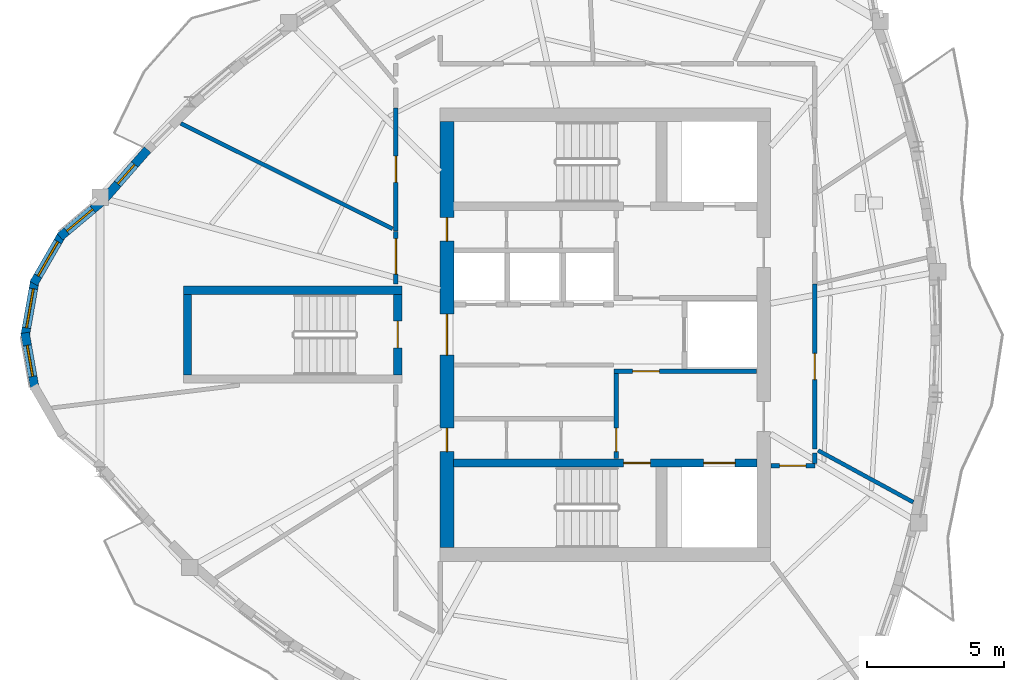
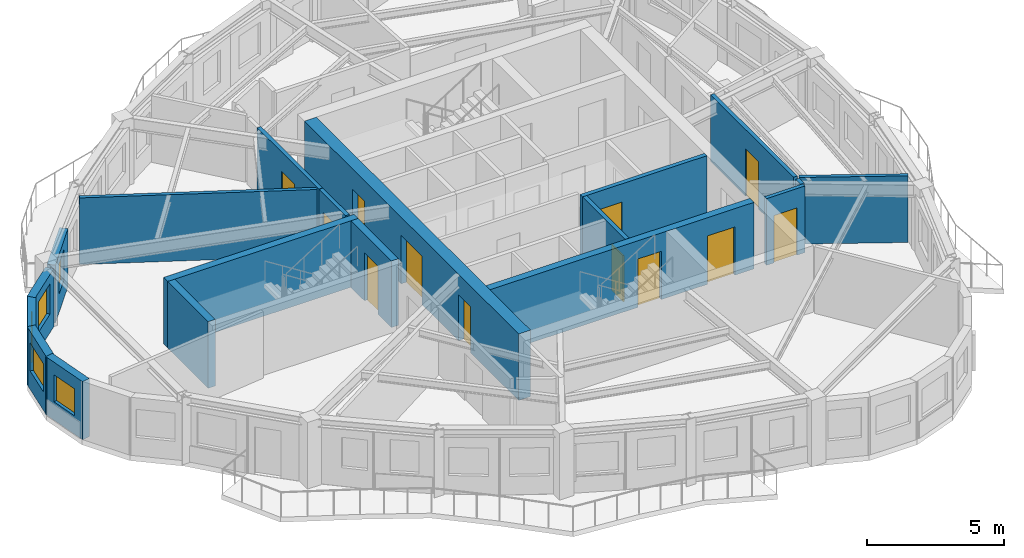
# One storey, part 4 of 11: 19 walls, 12 doors, 5 windows, 17 openings.
"""IFC4 building model written with IfcOpenShell, lengths in metres."""

import ifcopenshell
import ifcopenshell.guid

model = None  # the IFC model being written
_history = None  # IfcOwnerHistory: only IFC2X3 demands one
_inside = {}  # id of a spatial element -> (the spatial element, [elements in it])
_under = {}  # id of a project, library or spatial element -> (it, [spatial elements below it])
_declared = {}  # id of a project -> (the project, [libraries it declares])
_typed = {}  # id of a type object -> (the type object, [elements of that type])
_made_of = {}  # id of a material, layer set ... -> (it, [elements and type objects made of it])


def new_model(schema):
    """Start an empty IFC model of exactly this schema.

    Asked for "IFC4X3", IfcOpenShell would pick the latest addendum, in which some entities
    have other attributes; the version numbers below select the first issue.
    IFC2X3 requires an IfcOwnerHistory on every rooted entity: one is made here for all.
    """
    global model, _history
    if schema == "IFC4X3":
        model = ifcopenshell.file(schema_version=(4, 3, 0, 0))
    else:
        model = ifcopenshell.file(schema=schema)
    _inside.clear()
    _under.clear()
    _declared.clear()
    _typed.clear()
    _made_of.clear()
    _history = None
    if model.schema == "IFC2X3":
        org = make("IfcOrganization", Name="unknown")
        user = make(
            "IfcPersonAndOrganization",
            ThePerson=make("IfcPerson", FamilyName="unknown"),
            TheOrganization=org,
        )
        app = make(
            "IfcApplication",
            ApplicationDeveloper=org,
            Version="unknown",
            ApplicationFullName="unknown",
            ApplicationIdentifier="unknown",
        )
        _history = make(
            "IfcOwnerHistory",
            OwningUser=user,
            OwningApplication=app,
            ChangeAction="ADDED",
            CreationDate=0,
        )
    return model


def make(cls, **values):
    """One entity of the class cls with the attributes given. An attribute that is None is left unset."""
    return model.create_entity(
        cls, **{name: value for name, value in values.items() if value is not None}
    )


def rooted(cls, **values):
    """An entity with a GlobalId (a new one), such as an element, a storey or a relation."""
    return make(cls, GlobalId=ifcopenshell.guid.new(), OwnerHistory=_history, **values)


def si_unit(unit_type, name, prefix=None):
    """IfcSIUnit, for example si_unit("LENGTHUNIT", "METRE", prefix="MILLI")."""
    return make("IfcSIUnit", UnitType=unit_type, Prefix=prefix, Name=name)


def assignment(units):
    """IfcUnitAssignment: the units of a project."""
    return None if units is None else make("IfcUnitAssignment", Units=units)


def point(xyz):
    """IfcCartesianPoint."""
    return None if xyz is None else make("IfcCartesianPoint", Coordinates=xyz)


def direction(xyz):
    """IfcDirection."""
    return None if xyz is None else make("IfcDirection", DirectionRatios=xyz)


def frame(location, z_axis=None, x_axis=None):
    """IfcAxis2Placement3D, a coordinate frame: its origin and axes. An axis left out is left unset."""
    return make(
        "IfcAxis2Placement3D",
        Location=point(location),
        Axis=direction(z_axis),
        RefDirection=direction(x_axis),
    )


def frame_2d(location, x_axis=None):
    """IfcAxis2Placement2D, a coordinate frame in the plane: its origin and x axis."""
    return make(
        "IfcAxis2Placement2D", Location=point(location), RefDirection=direction(x_axis)
    )


def origin():
    """The frame at (0, 0, 0) with its axes left unset."""
    return frame((0.0, 0.0, 0.0))


def place(relative_to, where):
    """IfcLocalPlacement: puts the frame where relative to a parent placement (None: the world)."""
    return make(
        "IfcLocalPlacement", PlacementRelTo=relative_to, RelativePlacement=where
    )


def context(
    kind, dimensions, precision=None, world=None, true_north=None, identifier=None
):
    """IfcGeometricRepresentationContext, for example the 3D "Model" context."""
    return make(
        "IfcGeometricRepresentationContext",
        ContextIdentifier=identifier,
        ContextType=kind,
        CoordinateSpaceDimension=dimensions,
        Precision=precision,
        WorldCoordinateSystem=world,
        TrueNorth=true_north,
    )


def subcontext(parent, identifier, kind, view, scale=None):
    """IfcGeometricRepresentationSubContext, for example "Body" below "Model"."""
    return make(
        "IfcGeometricRepresentationSubContext",
        ContextIdentifier=identifier,
        ContextType=kind,
        ParentContext=parent,
        TargetScale=scale,
        TargetView=view,
    )


def project(units=None, contexts=None):
    """IfcProject with its units and contexts."""
    return rooted(
        "IfcProject",
        Name="project",
        RepresentationContexts=contexts,
        UnitsInContext=assignment(units),
    )


def spatial(cls, under=None, at=None, **own):
    """A site, building, storey or space (cls), placed at a placement, below another one or the project."""
    s = rooted(cls, ObjectPlacement=at, **own)
    if under is not None:
        _under.setdefault(under.id(), (under, []))[1].append(s)
    return s


def profile(cls, at=None, kind="AREA", **sizes):
    """A parametric profile (cls). Its sizes go by their IFC names, for example OverallWidth=200.0."""
    return make(cls, ProfileType=kind, Position=at, **sizes)


def rectangle(**sizes):
    """IfcRectangleProfileDef."""
    return profile("IfcRectangleProfileDef", **sizes)


def extrude(swept, where, along, depth):
    """IfcExtrudedAreaSolid: the profile swept, set in the frame where, extruded along a direction by depth."""
    return make(
        "IfcExtrudedAreaSolid",
        SweptArea=swept,
        Position=where,
        ExtrudedDirection=direction(along),
        Depth=depth,
    )


def shape(context_of_items, identifier, shape_type, items):
    """IfcShapeRepresentation: the items that make up one representation, for example the "Body"."""
    return make(
        "IfcShapeRepresentation",
        ContextOfItems=context_of_items,
        RepresentationIdentifier=identifier,
        RepresentationType=shape_type,
        Items=items,
    )


def source(mapping_origin, context_of_items, identifier, shape_type, items):
    """IfcRepresentationMap: a shape defined once, which mapped items show again and again."""
    return make(
        "IfcRepresentationMap",
        MappingOrigin=mapping_origin,
        MappedRepresentation=shape(context_of_items, identifier, shape_type, items),
    )


def transform(
    local_origin,
    x_axis=None,
    y_axis=None,
    z_axis=None,
    scale=None,
    scale2=None,
    scale3=None,
    uniform=True,
):
    """IfcCartesianTransformationOperator3D, or its non-uniform kind. x_axis, y_axis, z_axis: its Axis1, 2, 3."""
    if uniform:
        return make(
            "IfcCartesianTransformationOperator3D",
            Axis1=direction(x_axis),
            Axis2=direction(y_axis),
            LocalOrigin=point(local_origin),
            Scale=scale,
            Axis3=direction(z_axis),
        )
    return make(
        "IfcCartesianTransformationOperator3DnonUniform",
        Axis1=direction(x_axis),
        Axis2=direction(y_axis),
        LocalOrigin=point(local_origin),
        Scale=scale,
        Axis3=direction(z_axis),
        Scale2=scale2,
        Scale3=scale3,
    )


def mapped(mapping_source, mapping_target):
    """IfcMappedItem: shows the shape of a source again, moved by a transform."""
    return make(
        "IfcMappedItem", MappingSource=mapping_source, MappingTarget=mapping_target
    )


def material(Name=None, Category=None):
    """IfcMaterial."""
    return make("IfcMaterial", Name=Name, Category=Category)


def layer(
    of_material, thickness, ventilated=None, Name=None, Category=None, Priority=None
):
    """IfcMaterialLayer: one layer of a wall or slab, of a material (None: an air gap)."""
    return make(
        "IfcMaterialLayer",
        Material=of_material,
        LayerThickness=thickness,
        IsVentilated=ventilated,
        Name=Name,
        Category=Category,
        Priority=Priority,
    )


def layer_set(layers, Name=None):
    """IfcMaterialLayerSet."""
    return make("IfcMaterialLayerSet", MaterialLayers=layers, LayerSetName=Name)


def made_of(thing, what):
    """Note that an element or type object is made of a material, layer set ...; save() writes the relation."""
    if what is not None:
        _made_of.setdefault(what.id(), (what, []))[1].append(thing)
    return thing


def type_object(cls, material=None, **own):
    """A type object (cls), such as IfcWallType, which elements share."""
    return made_of(rooted(cls, **own), material)


def element(
    cls,
    number,
    at=None,
    inside=None,
    cuts=None,
    type_object=None,
    material=None,
    context=None,
    identifier="Body",
    shape_type=None,
    held_by="IfcProductDefinitionShape",
    body=None,
    shapes=None,
    **own,
):
    """One element of the class cls, such as IfcWall. Its Tag is "e" and its number.

    at: its placement. inside: the storey or other place that contains it. cuts: it is an
    opening in that element (IfcRelVoidsElement). A single representation is given by context,
    identifier, shape_type and body (its items); several are given by shapes. held_by: the class
    of the entity that holds the representations. save() writes the other relations.
    """
    e = rooted(cls, Tag="e%d" % number, ObjectPlacement=at, **own)
    if body is not None:
        shapes = [shape(context, identifier, shape_type, body)]
    if shapes is not None:
        e.Representation = make(held_by, Representations=shapes)
    if inside is not None:
        _inside.setdefault(inside.id(), (inside, []))[1].append(e)
    if cuts is not None:
        rooted(
            "IfcRelVoidsElement", RelatingBuildingElement=cuts, RelatedOpeningElement=e
        )
    if type_object is not None:
        _typed.setdefault(type_object.id(), (type_object, []))[1].append(e)
    return made_of(e, material)


def fill(opening, filler):
    """IfcRelFillsElement: the door or window that sits in an opening."""
    return rooted(
        "IfcRelFillsElement",
        RelatingOpeningElement=opening,
        RelatedBuildingElement=filler,
    )


def aggregate(whole, parts):
    """IfcRelAggregates: a whole, such as a stair, and the parts it consists of."""
    return rooted("IfcRelAggregates", RelatingObject=whole, RelatedObjects=parts)


def save(model, path):
    """Write the relations noted so far, then the file.

    IfcRelAggregates (storeys below a building ...), IfcRelContainedInSpatialStructure (elements
    in a storey), IfcRelDefinesByType, IfcRelAssociatesMaterial and IfcRelDeclares: one each for
    every whole, place, type object, material and project.
    """
    for whole, parts in _under.values():
        aggregate(whole, parts)
    for where, things in _inside.values():
        rooted(
            "IfcRelContainedInSpatialStructure",
            RelatedElements=things,
            RelatingStructure=where,
        )
    for kind, things in _typed.values():
        rooted("IfcRelDefinesByType", RelatedObjects=things, RelatingType=kind)
    for what, things in _made_of.values():
        rooted("IfcRelAssociatesMaterial", RelatedObjects=things, RelatingMaterial=what)
    for by, libraries in _declared.values():
        rooted("IfcRelDeclares", RelatingContext=by, RelatedDefinitions=libraries)
    model.write(path)


model = new_model("IFC4")

# Units and contexts
model_context = context("Model", 3, precision=1e-05, world=origin(), true_north=direction((0.0, 1.0)))
body_context = subcontext(model_context, "Body", "Model", "MODEL_VIEW")
ifc_project = project(units=[si_unit("LENGTHUNIT", "METRE"), si_unit("AREAUNIT", "SQUARE_METRE"), si_unit("VOLUMEUNIT", "CUBIC_METRE"), si_unit("PLANEANGLEUNIT", "RADIAN"), si_unit("MASSUNIT", "GRAM", prefix="KILO")], contexts=[model_context])

# Site, building, storey
site_placement = place(None, origin())
site = spatial("IfcSite", under=ifc_project, at=site_placement, CompositionType="ELEMENT")
building_placement = place(site_placement, origin())
building = spatial("IfcBuilding", under=site, at=building_placement, Name="Qafzar Sky-Pleat Residences", CompositionType="ELEMENT")
storey_placement = place(building_placement, frame((0.0, 0.0, 218.0)))
storey = spatial("IfcBuildingStorey", under=building, at=storey_placement, Name="L65", CompositionType="ELEMENT", Elevation=218.0)

# Wall, opening, door
ifc_material_1 = material(Name="Acoustic gypsum plasterboard partition", Category="gypsum")
ifc_layer_1 = layer(ifc_material_1, 0.159912109375)
ifc_layer_set_1 = layer_set([ifc_layer_1], Name="Acoustic gypsum plasterboard partition")
wall_type_1 = type_object("IfcWallType", Name="PART-COR-160", PredefinedType="PARTITIONING", material=ifc_layer_set_1)
wall_1_placement = place(storey_placement, frame((38.02001953125, 27.85498046875, 0.0), z_axis=(0.0, 0.0, 1.0), x_axis=(0.0, -1.0, 0.0)))
wall_1 = element("IfcWall", 1, at=wall_1_placement, inside=storey, type_object=wall_type_1, Name="L65 Partition Wall PART-L65-PW-001", PredefinedType="PARTITIONING", context=body_context, shape_type="SweptSolid", body=[
    extrude(rectangle(XDim=6.046875, YDim=0.159912109375, at=frame_2d((3.0234375, 0.0))), origin(), (0.0, 0.0, 1.0), 2.9599609375),
])
opening_1_placement = place(wall_1_placement, frame((2.54248046875, 0.0, 0.0)))
opening_1 = element("IfcOpeningElement", 2, at=opening_1_placement, cuts=wall_1, Name="Opening ID-06", PredefinedType="OPENING", context=body_context, shape_type="SweptSolid", body=[
    extrude(rectangle(XDim=0.9599609375, YDim=2.10009765625, at=frame_2d((0.47998046875, 1.050048828125))), frame((0.0, 0.08984375, 0.0), z_axis=(0.0, -1.0, 0.0), x_axis=(1.0, 0.0, 0.0)), (0.0, 0.0, 1.0), 0.179931640625),
])
ifc_material_2 = material(Name="Timber-faced fire door", Category="wood")
door_type_1 = type_object("IfcDoorType", Name="DR-STD-960", OperationType="NOTDEFINED", PredefinedType="DOOR", material=ifc_material_2)
shared_shape_1 = source(origin(), body_context, "Body", "SweptSolid", [
    extrude(rectangle(XDim=0.9599609375, YDim=2.10009765625, at=frame_2d((0.47998046875, 1.050048828125))), frame((0.0, 0.02490234375, 0.0), z_axis=(0.0, -1.0, 0.0), x_axis=(1.0, 0.0, 0.0)), (0.0, 0.0, 1.0), 0.050048828125),
])
door_1_placement = place(opening_1_placement, origin())
door_1 = element("IfcDoor", 3, at=door_1_placement, inside=storey, type_object=door_type_1, Name="L65 Media Screening Room Door", OperationType="SINGLE_SWING_RIGHT", OverallHeight=2.10009765625, OverallWidth=0.9599609375, PredefinedType="DOOR", context=body_context, shape_type="MappedRepresentation", body=[
    mapped(shared_shape_1, transform((0.0, 0.0, 0.0), x_axis=(1.0, 0.0, 0.0), y_axis=(0.0, 1.0, 0.0), z_axis=(0.0, 0.0, 1.0), scale=1.0)),
])
fill(opening_1, door_1)

wall_2_placement = place(storey_placement, frame((22.679931640625, 29.798095703125, 0.0), z_axis=(0.0, 0.0, 1.0), x_axis=(0.0, 1.0, 0.0)))
wall_2 = element("IfcWall", 4, at=wall_2_placement, inside=storey, type_object=wall_type_1, Name="L65 Partition Wall PART-L65-PW-005", PredefinedType="PARTITIONING", context=body_context, shape_type="SweptSolid", body=[
    extrude(rectangle(XDim=4.501953125, YDim=0.159912109375, at=frame_2d((2.2509765625, 0.0))), origin(), (0.0, 0.0, 1.0), 2.9599609375),
])
opening_2_placement = place(wall_2_placement, frame((1.779541015625, 0.0, 0.0)))
opening_2 = element("IfcOpeningElement", 5, at=opening_2_placement, cuts=wall_2, Name="Opening ID-06", PredefinedType="OPENING", context=body_context, shape_type="SweptSolid", body=[
    extrude(rectangle(XDim=0.9599609375, YDim=2.10009765625, at=frame_2d((0.47998046875, 1.050048828125))), frame((0.0, 0.08984375, 0.0), z_axis=(0.0, -1.0, 0.0), x_axis=(1.0, 0.0, 0.0)), (0.0, 0.0, 1.0), 0.179931640625),
])
door_2_placement = place(opening_2_placement, origin())
door_2 = element("IfcDoor", 6, at=door_2_placement, inside=storey, type_object=door_type_1, Name="L65 Wellness Yoga Studio Door", OperationType="SINGLE_SWING_RIGHT", OverallHeight=2.10009765625, OverallWidth=0.9599609375, PredefinedType="DOOR", context=body_context, shape_type="MappedRepresentation", body=[
    mapped(shared_shape_1, transform((0.0, 0.0, 0.0), x_axis=(1.0, 0.0, 0.0), y_axis=(0.0, 1.0, 0.0), z_axis=(0.0, 0.0, 1.0), scale=1.0)),
])
fill(opening_2, door_2)

wall_3_placement = place(storey_placement, frame((22.679931640625, 27.85009765625, 0.0), z_axis=(0.0, 0.0, 1.0), x_axis=(0.0, 1.0, 0.0)))
wall_3 = element("IfcWall", 7, at=wall_3_placement, inside=storey, type_object=wall_type_1, Name="L65 Partition Wall PART-L65-PW-009", PredefinedType="PARTITIONING", context=body_context, shape_type="SweptSolid", body=[
    extrude(rectangle(XDim=1.932861328125, YDim=0.159912109375, at=frame_2d((0.96630859375, 0.0))), origin(), (0.0, 0.0, 1.0), 2.9599609375),
])
opening_3_placement = place(wall_3_placement, frame((0.362060546875, 0.0, 0.0)))
opening_3 = element("IfcOpeningElement", 8, at=opening_3_placement, cuts=wall_3, Name="Opening ID-05", PredefinedType="OPENING", context=body_context, shape_type="SweptSolid", body=[
    extrude(rectangle(XDim=1.300048828125, YDim=2.10009765625, at=frame_2d((0.64990234375, 1.050048828125))), frame((0.0, 0.08984375, 0.0), z_axis=(0.0, -1.0, 0.0), x_axis=(1.0, 0.0, 0.0)), (0.0, 0.0, 1.0), 0.179931640625),
])
door_type_2 = type_object("IfcDoorType", Name="DR-LNG-1300", OperationType="DOUBLE_DOOR_SINGLE_SWING", PredefinedType="DOOR", material=ifc_material_2)
shared_shape_2 = source(origin(), body_context, "Body", "SweptSolid", [
    extrude(rectangle(XDim=1.300048828125, YDim=2.10009765625, at=frame_2d((0.64990234375, 1.050048828125))), frame((0.0, 0.02490234375, 0.0), z_axis=(0.0, -1.0, 0.0), x_axis=(1.0, 0.0, 0.0)), (0.0, 0.0, 1.0), 0.050048828125),
])
door_3_placement = place(opening_3_placement, origin())
door_3 = element("IfcDoor", 9, at=door_3_placement, inside=storey, type_object=door_type_2, Name="L65 Tutorial Huddle Room Door", OperationType="DOUBLE_DOOR_SINGLE_SWING", OverallHeight=2.10009765625, OverallWidth=1.300048828125, PredefinedType="DOOR", context=body_context, shape_type="MappedRepresentation", body=[
    mapped(shared_shape_2, transform((0.0, 0.0, 0.0), x_axis=(1.0, 0.0, 0.0), y_axis=(0.0, 1.0, 0.0), z_axis=(0.0, 0.0, 1.0), scale=1.0)),
])
fill(opening_3, door_3)

wall_4_placement = place(storey_placement, frame((38.02001953125, 21.199951171875, 0.0), z_axis=(0.0, 0.0, 1.0), x_axis=(-1.0, 0.0, 0.0)))
wall_4 = element("IfcWall", 10, at=wall_4_placement, inside=storey, type_object=wall_type_1, Name="L65 Partition Wall PART-L65-PW-010", PredefinedType="PARTITIONING", context=body_context, shape_type="SweptSolid", body=[
    extrude(rectangle(XDim=1.612060546875, YDim=0.159912109375, at=frame_2d((0.80615234375, 0.0))), origin(), (0.0, 0.0, 1.0), 2.9599609375),
])
opening_4_placement = place(wall_4_placement, frame((0.330078125, 0.0, 0.0)))
opening_4 = element("IfcOpeningElement", 11, at=opening_4_placement, cuts=wall_4, Name="Opening ID-06", PredefinedType="OPENING", context=body_context, shape_type="SweptSolid", body=[
    extrude(rectangle(XDim=0.9599609375, YDim=2.10009765625, at=frame_2d((0.47998046875, 1.050048828125))), frame((0.0, 0.08984375, 0.0), z_axis=(0.0, -1.0, 0.0), x_axis=(1.0, 0.0, 0.0)), (0.0, 0.0, 1.0), 0.179931640625),
])
door_4_placement = place(opening_4_placement, origin())
door_4 = element("IfcDoor", 12, at=door_4_placement, inside=storey, type_object=door_type_1, Name="L65 Music Practice Room Door", OperationType="SINGLE_SWING_LEFT", OverallHeight=2.10009765625, OverallWidth=0.9599609375, PredefinedType="DOOR", context=body_context, shape_type="MappedRepresentation", body=[
    mapped(shared_shape_1, transform((0.0, 0.0, 0.0), x_axis=(1.0, 0.0, 0.0), y_axis=(0.0, 1.0, 0.0), z_axis=(0.0, 0.0, 1.0), scale=1.0)),
])
fill(opening_4, door_4)

# Wall
wall_5_placement = place(storey_placement, frame((38.02001953125, 21.2880859375, 0.0), z_axis=(0.0, 0.0, 1.0), x_axis=(0.0, 1.0, 0.0)))
element("IfcWall", 13, at=wall_5_placement, inside=storey, type_object=wall_type_1, Name="L65 Partition Wall PART-L65-PW-030", PredefinedType="PARTITIONING", context=body_context, shape_type="SweptSolid", body=[
    extrude(rectangle(XDim=0.370849609375, YDim=0.159912109375, at=frame_2d((0.185546875, 0.0))), origin(), (0.0, 0.0, 1.0), 2.9599609375),
])

# Wall, opening, door
ifc_material_3 = material(Name="Concrete blockwork partition", Category="masonry")
ifc_layer_2 = layer(ifc_material_3, 0.179931640625)
ifc_layer_set_2 = layer_set([ifc_layer_2], Name="Concrete blockwork partition")
wall_type_2 = type_object("IfcWallType", Name="PART-SHAFT-180", PredefinedType="PARTITIONING", material=ifc_layer_set_2)
wall_6_placement = place(storey_placement, frame((30.75, 21.4599609375, 0.0), z_axis=(0.0, 0.0, 1.0), x_axis=(0.0, 1.0, 0.0)))
wall_6 = element("IfcWall", 14, at=wall_6_placement, inside=storey, type_object=wall_type_2, Name="L65 Partition Wall PART-L65-FFL1-W", PredefinedType="PARTITIONING", context=body_context, shape_type="SweptSolid", body=[
    extrude(rectangle(XDim=3.110107421875, YDim=0.179931640625, at=frame_2d((1.55517578125, 0.0))), origin(), (0.0, 0.0, 1.0), 2.9599609375),
])
opening_5_placement = place(wall_6_placement, frame((0.260009765625, 0.0, 0.0)))
opening_5 = element("IfcOpeningElement", 15, at=opening_5_placement, cuts=wall_6, Name="Opening ID-09", PredefinedType="OPENING", context=body_context, shape_type="SweptSolid", body=[
    extrude(rectangle(XDim=0.860107421875, YDim=2.050048828125, at=frame_2d((0.43017578125, 1.02490234375))), frame((0.0, 0.10009765625, 0.0), z_axis=(0.0, -1.0, 0.0), x_axis=(1.0, 0.0, 0.0)), (0.0, 0.0, 1.0), 0.199951171875),
])
door_type_3 = type_object("IfcDoorType", Name="DR-SVC-860", OperationType="NOTDEFINED", PredefinedType="DOOR", material=ifc_material_2)
shared_shape_3 = source(origin(), body_context, "Body", "SweptSolid", [
    extrude(rectangle(XDim=0.860107421875, YDim=2.050048828125, at=frame_2d((0.43017578125, 1.02490234375))), frame((0.0, 0.02490234375, 0.0), z_axis=(0.0, -1.0, 0.0), x_axis=(1.0, 0.0, 0.0)), (0.0, 0.0, 1.0), 0.050048828125),
])
door_5_placement = place(opening_5_placement, origin())
door_5 = element("IfcDoor", 16, at=door_5_placement, inside=storey, type_object=door_type_3, Name="L65 South Core Cupboard Door", OperationType="SINGLE_SWING_LEFT", OverallHeight=2.050048828125, OverallWidth=0.860107421875, PredefinedType="DOOR", context=body_context, shape_type="MappedRepresentation", body=[
    mapped(shared_shape_3, transform((0.0, 0.0, 0.0), x_axis=(1.0, 0.0, 0.0), y_axis=(0.0, 1.0, 0.0), z_axis=(0.0, 0.0, 1.0), scale=1.0)),
])
fill(opening_5, door_5)

wall_7_placement = place(storey_placement, frame((30.669921875, 24.659912109375, 0.0), z_axis=(0.0, 0.0, 1.0), x_axis=(1.0, 0.0, 0.0)))
wall_7 = element("IfcWall", 17, at=wall_7_placement, inside=storey, type_object=wall_type_2, Name="L65 Partition Wall PART-L65-FFL1-N", PredefinedType="PARTITIONING", context=body_context, shape_type="SweptSolid", body=[
    extrude(rectangle(XDim=5.219970703125, YDim=0.179931640625, at=frame_2d((2.60986328125, 0.0))), origin(), (0.0, 0.0, 1.0), 2.9599609375),
])
opening_6_placement = place(wall_7_placement, frame((0.679931640625, 0.0, 0.0)))
opening_6 = element("IfcOpeningElement", 18, at=opening_6_placement, cuts=wall_7, Name="Opening ID-01", PredefinedType="OPENING", context=body_context, shape_type="SweptSolid", body=[
    extrude(rectangle(XDim=0.97998046875, YDim=2.14990234375, at=frame_2d((0.489990234375, 1.074951171875))), frame((0.0, 0.10009765625, 0.0), z_axis=(0.0, -1.0, 0.0), x_axis=(1.0, 0.0, 0.0)), (0.0, 0.0, 1.0), 0.199951171875),
])
door_type_4 = type_object("IfcDoorType", Name="DR-STAIR-980", OperationType="NOTDEFINED", PredefinedType="DOOR", material=ifc_material_2)
shared_shape_4 = source(origin(), body_context, "Body", "SweptSolid", [
    extrude(rectangle(XDim=0.97998046875, YDim=2.14990234375, at=frame_2d((0.489990234375, 1.074951171875))), frame((0.0, 0.02490234375, 0.0), z_axis=(0.0, -1.0, 0.0), x_axis=(1.0, 0.0, 0.0)), (0.0, 0.0, 1.0), 0.050048828125),
])
door_6_placement = place(opening_6_placement, origin())
door_6 = element("IfcDoor", 19, at=door_6_placement, inside=storey, type_object=door_type_4, Name="L65 Lift Lobby to South Firefighting Lobby Door", OperationType="SINGLE_SWING_RIGHT", OverallHeight=2.14990234375, OverallWidth=0.97998046875, PredefinedType="DOOR", context=body_context, shape_type="MappedRepresentation", body=[
    mapped(shared_shape_4, transform((0.0, 0.0, 0.0), x_axis=(1.0, 0.0, 0.0), y_axis=(0.0, 1.0, 0.0), z_axis=(0.0, 0.0, 1.0), scale=1.0)),
])
fill(opening_6, door_6)

# Walls
ifc_layer_3 = layer(ifc_material_1, 0.14501953125)
ifc_layer_set_3 = layer_set([ifc_layer_3], Name="Acoustic gypsum plasterboard partition")
wall_type_3 = type_object("IfcWallType", Name="PART-UNIT-145", PredefinedType="PARTITIONING", material=ifc_layer_set_3)
wall_8_placement = place(storey_placement, frame((14.801513671875, 33.73388671875, 0.0), z_axis=(0.0, 0.0, 1.0), x_axis=(0.895354955696, -0.445353234311, 0.0)))
element("IfcWall", 20, at=wall_8_placement, inside=storey, type_object=wall_type_3, Name="L65 Partition Wall PART-L65-PW-011", PredefinedType="PARTITIONING", context=body_context, shape_type="SweptSolid", body=[
    extrude(rectangle(XDim=8.665771484375, YDim=0.14501953125, at=frame_2d((4.3330078125, 0.0))), origin(), (0.0, 0.0, 1.0), 2.9599609375),
])
wall_9_placement = place(storey_placement, frame((38.1416015625, 21.7587890625, 0.0), z_axis=(0.0, 0.0, 1.0), x_axis=(0.878323390095, -0.478066964359, 0.0)))
element("IfcWall", 21, at=wall_9_placement, inside=storey, type_object=wall_type_3, Name="L65 Partition Wall PART-L65-PW-018", PredefinedType="PARTITIONING", context=body_context, shape_type="SweptSolid", body=[
    extrude(rectangle(XDim=3.966064453125, YDim=0.14501953125, at=frame_2d((1.98291015625, 0.0))), origin(), (0.0, 0.0, 1.0), 2.9599609375),
])

# Wall, opening, window
ifc_material_4 = material(Name="Precast concrete C40/50 with honed Riyadh limestone", Category="concrete")
ifc_layer_4 = layer(ifc_material_4, 0.320068359375)
ifc_layer_set_4 = layer_set([ifc_layer_4], Name="Precast concrete C40/50 with honed Riyadh limestone")
wall_type_4 = type_object("IfcWallType", Name="WALL-EXT-320", PredefinedType="SOLIDWALL", material=ifc_layer_set_4)
wall_10_placement = place(storey_placement, frame((11.8837890625, 30.842529296875, 0.0), z_axis=(0.0, 0.0, 1.0), x_axis=(-0.76606505432, -0.642763045414, 0.0)))
wall_10 = element("IfcWall", 22, at=wall_10_placement, inside=storey, type_object=wall_type_4, Name="L65 Limestone Facade Wall 1", PredefinedType="SOLIDWALL", context=body_context, shape_type="SweptSolid", body=[
    extrude(rectangle(XDim=1.962158203125, YDim=0.320068359375, at=frame_2d((0.98095703125, 0.0))), origin(), (0.0, 0.0, 1.0), 2.580078125),
])
opening_7_placement = place(wall_10_placement, frame((0.39111328125, 0.0, 0.820068359375)))
opening_7 = element("IfcOpeningElement", 23, at=opening_7_placement, cuts=wall_10, Name="Opening WN-11", PredefinedType="OPENING", context=body_context, shape_type="SweptSolid", body=[
    extrude(rectangle(XDim=1.25, YDim=1.35009765625, at=frame_2d((0.625, 0.675048828125))), frame((0.0, 0.169921875, 0.0), z_axis=(0.0, -1.0, 0.0), x_axis=(1.0, 0.0, 0.0)), (0.0, 0.0, 1.0), 0.340087890625),
])
ifc_material_5 = material(Name="Solar-control low-E glass in bronze aluminium frame", Category="glass")
window_type_1 = type_object("IfcWindowType", Name="WIN-11", PartitioningType="SINGLE_PANEL", PredefinedType="WINDOW", material=ifc_material_5)
shared_shape_5 = source(origin(), body_context, "Body", "SweptSolid", [
    extrude(rectangle(XDim=1.25, YDim=1.35009765625, at=frame_2d((0.625, 0.675048828125))), frame((0.0, 0.030029296875, 0.0), z_axis=(0.0, -1.0, 0.0), x_axis=(1.0, 0.0, 0.0)), (0.0, 0.0, 1.0), 0.06005859375),
])
window_1_placement = place(opening_7_placement, origin())
window_1 = element("IfcWindow", 24, at=window_1_placement, inside=storey, type_object=window_type_1, Name="L65 Punched Facade Window 01", OverallHeight=1.35009765625, OverallWidth=1.25, PartitioningType="SINGLE_PANEL", PredefinedType="WINDOW", context=body_context, shape_type="MappedRepresentation", body=[
    mapped(shared_shape_5, transform((0.0, 0.0, 0.0), x_axis=(1.0, 0.0, 0.0), y_axis=(0.0, 1.0, 0.0), z_axis=(0.0, 0.0, 1.0), scale=1.0)),
])
fill(opening_7, window_1)

wall_11_placement = place(storey_placement, frame((10.464599609375, 29.68115234375, 0.0), z_axis=(0.0, 0.0, 1.0), x_axis=(-0.499995423472, -0.866028046028, 0.0)))
wall_11 = element("IfcWall", 25, at=wall_11_placement, inside=storey, type_object=wall_type_4, Name="L65 Limestone Facade Wall 2", PredefinedType="SOLIDWALL", context=body_context, shape_type="SweptSolid", body=[
    extrude(rectangle(XDim=2.09033203125, YDim=0.320068359375, at=frame_2d((1.045166015625, 0.0))), origin(), (0.0, 0.0, 1.0), 2.580078125),
])
opening_8_placement = place(wall_11_placement, frame((0.3203125, 0.0, 0.820068359375)))
opening_8 = element("IfcOpeningElement", 26, at=opening_8_placement, cuts=wall_11, Name="Opening WN-15", PredefinedType="OPENING", context=body_context, shape_type="SweptSolid", body=[
    extrude(rectangle(XDim=1.449951171875, YDim=1.25, at=frame_2d((0.72509765625, 0.625))), frame((0.0, 0.169921875, 0.0), z_axis=(0.0, -1.0, 0.0), x_axis=(1.0, 0.0, 0.0)), (0.0, 0.0, 1.0), 0.340087890625),
])
window_type_2 = type_object("IfcWindowType", Name="WIN-15", PartitioningType="SINGLE_PANEL", PredefinedType="WINDOW", material=ifc_material_5)
shared_shape_6 = source(origin(), body_context, "Body", "SweptSolid", [
    extrude(rectangle(XDim=1.449951171875, YDim=1.25, at=frame_2d((0.72509765625, 0.625))), frame((0.0, 0.030029296875, 0.0), z_axis=(0.0, -1.0, 0.0), x_axis=(1.0, 0.0, 0.0)), (0.0, 0.0, 1.0), 0.06005859375),
])
window_2_placement = place(opening_8_placement, origin())
window_2 = element("IfcWindow", 27, at=window_2_placement, inside=storey, type_object=window_type_2, Name="L65 Punched Facade Window 02", OverallHeight=1.25, OverallWidth=1.449951171875, PartitioningType="SINGLE_PANEL", PredefinedType="WINDOW", context=body_context, shape_type="MappedRepresentation", body=[
    mapped(shared_shape_6, transform((0.0, 0.0, 0.0), x_axis=(1.0, 0.0, 0.0), y_axis=(0.0, 1.0, 0.0), z_axis=(0.0, 0.0, 1.0), scale=1.0)),
])
fill(opening_8, window_2)

wall_12_placement = place(storey_placement, frame((9.464111328125, 27.993408203125, 0.0), z_axis=(0.0, 0.0, 1.0), x_axis=(-0.173672066494, -0.984803540469, 0.0)))
wall_12 = element("IfcWall", 28, at=wall_12_placement, inside=storey, type_object=wall_type_4, Name="L65 Limestone Facade Wall 3", PredefinedType="SOLIDWALL", context=body_context, shape_type="SweptSolid", body=[
    extrude(rectangle(XDim=2.09033203125, YDim=0.320068359375, at=frame_2d((1.045166015625, 0.0))), origin(), (0.0, 0.0, 1.0), 2.580078125),
])
opening_9_placement = place(wall_12_placement, frame((0.3203125, 0.0, 0.820068359375)))
opening_9 = element("IfcOpeningElement", 29, at=opening_9_placement, cuts=wall_12, Name="Opening WN-15", PredefinedType="OPENING", context=body_context, shape_type="SweptSolid", body=[
    extrude(rectangle(XDim=1.449951171875, YDim=1.25, at=frame_2d((0.72509765625, 0.625))), frame((0.0, 0.169921875, 0.0), z_axis=(0.0, -1.0, 0.0), x_axis=(1.0, 0.0, 0.0)), (0.0, 0.0, 1.0), 0.340087890625),
])
window_3_placement = place(opening_9_placement, origin())
window_3 = element("IfcWindow", 30, at=window_3_placement, inside=storey, type_object=window_type_2, Name="L65 Punched Facade Window 03", OverallHeight=1.25, OverallWidth=1.449951171875, PartitioningType="SINGLE_PANEL", PredefinedType="WINDOW", context=body_context, shape_type="MappedRepresentation", body=[
    mapped(shared_shape_6, transform((0.0, 0.0, 0.0), x_axis=(1.0, 0.0, 0.0), y_axis=(0.0, 1.0, 0.0), z_axis=(0.0, 0.0, 1.0), scale=1.0)),
])
fill(opening_9, window_3)

wall_13_placement = place(storey_placement, frame((9.10107421875, 26.065185546875, 0.0), z_axis=(0.0, 0.0, 1.0), x_axis=(0.173672066494, -0.984803540469, 0.0)))
wall_13 = element("IfcWall", 31, at=wall_13_placement, inside=storey, type_object=wall_type_4, Name="L65 Limestone Facade Wall 4", PredefinedType="SOLIDWALL", context=body_context, shape_type="SweptSolid", body=[
    extrude(rectangle(XDim=2.09033203125, YDim=0.320068359375, at=frame_2d((1.045166015625, 0.0))), origin(), (0.0, 0.0, 1.0), 2.580078125),
])
opening_10_placement = place(wall_13_placement, frame((0.47021484375, 0.0, 0.820068359375)))
opening_10 = element("IfcOpeningElement", 32, at=opening_10_placement, cuts=wall_13, Name="Opening WN-16", PredefinedType="OPENING", context=body_context, shape_type="SweptSolid", body=[
    extrude(rectangle(XDim=1.14990234375, YDim=1.199951171875, at=frame_2d((0.574951171875, 0.60009765625))), frame((0.0, 0.169921875, 0.0), z_axis=(0.0, -1.0, 0.0), x_axis=(1.0, 0.0, 0.0)), (0.0, 0.0, 1.0), 0.340087890625),
])
window_type_3 = type_object("IfcWindowType", Name="WIN-16", PartitioningType="SINGLE_PANEL", PredefinedType="WINDOW", material=ifc_material_5)
shared_shape_7 = source(origin(), body_context, "Body", "SweptSolid", [
    extrude(rectangle(XDim=1.14990234375, YDim=1.199951171875, at=frame_2d((0.574951171875, 0.60009765625))), frame((0.0, 0.030029296875, 0.0), z_axis=(0.0, -1.0, 0.0), x_axis=(1.0, 0.0, 0.0)), (0.0, 0.0, 1.0), 0.06005859375),
])
window_4_placement = place(opening_10_placement, origin())
window_4 = element("IfcWindow", 33, at=window_4_placement, inside=storey, type_object=window_type_3, Name="L65 Punched Facade Window 04", OverallHeight=1.199951171875, OverallWidth=1.14990234375, PartitioningType="SINGLE_PANEL", PredefinedType="WINDOW", context=body_context, shape_type="MappedRepresentation", body=[
    mapped(shared_shape_7, transform((0.0, 0.0, 0.0), x_axis=(1.0, 0.0, 0.0), y_axis=(0.0, 1.0, 0.0), z_axis=(0.0, 0.0, 1.0), scale=1.0)),
])
fill(opening_10, window_4)

wall_14_placement = place(storey_placement, frame((13.590576171875, 32.773681640625, 0.0), z_axis=(0.0, 0.0, 1.0), x_axis=(-0.657601126926, -0.753366283999, 0.0)))
wall_14 = element("IfcWall", 34, at=wall_14_placement, inside=storey, type_object=wall_type_4, Name="L65 Limestone Facade Wall 48", PredefinedType="SOLIDWALL", context=body_context, shape_type="SweptSolid", body=[
    extrude(rectangle(XDim=2.37353515625, YDim=0.320068359375, at=frame_2d((1.186767578125, 0.0))), origin(), (0.0, 0.0, 1.0), 2.580078125),
])
opening_11_placement = place(wall_14_placement, frame((0.716796875, 0.0, 0.820068359375)))
opening_11 = element("IfcOpeningElement", 35, at=opening_11_placement, cuts=wall_14, Name="Opening WN-12", PredefinedType="OPENING", context=body_context, shape_type="SweptSolid", body=[
    extrude(rectangle(XDim=0.949951171875, YDim=1.35009765625, at=frame_2d((0.47509765625, 0.675048828125))), frame((0.0, 0.169921875, 0.0), z_axis=(0.0, -1.0, 0.0), x_axis=(1.0, 0.0, 0.0)), (0.0, 0.0, 1.0), 0.340087890625),
])
window_type_4 = type_object("IfcWindowType", Name="WIN-12", PartitioningType="SINGLE_PANEL", PredefinedType="WINDOW", material=ifc_material_5)
shared_shape_8 = source(origin(), body_context, "Body", "SweptSolid", [
    extrude(rectangle(XDim=0.949951171875, YDim=1.35009765625, at=frame_2d((0.47509765625, 0.675048828125))), frame((0.0, 0.030029296875, 0.0), z_axis=(0.0, -1.0, 0.0), x_axis=(1.0, 0.0, 0.0)), (0.0, 0.0, 1.0), 0.06005859375),
])
window_5_placement = place(opening_11_placement, origin())
window_5 = element("IfcWindow", 36, at=window_5_placement, inside=storey, type_object=window_type_4, Name="L65 Punched Facade Window 48", OverallHeight=1.35009765625, OverallWidth=0.949951171875, PartitioningType="SINGLE_PANEL", PredefinedType="WINDOW", context=body_context, shape_type="MappedRepresentation", body=[
    mapped(shared_shape_8, transform((0.0, 0.0, 0.0), x_axis=(1.0, 0.0, 0.0), y_axis=(0.0, 1.0, 0.0), z_axis=(0.0, 0.0, 1.0), scale=1.0)),
])
fill(opening_11, window_5)

# Wall, openings, doors
ifc_material_6 = material(Name="Concrete C60/75", Category="concrete")
ifc_layer_5 = layer(ifc_material_6, 0.300048828125)
ifc_layer_set_5 = layer_set([ifc_layer_5], Name="Concrete C60/75")
wall_type_5 = type_object("IfcWallType", Name="WALL-SHEAR-300", PredefinedType="SHEAR", material=ifc_layer_set_5)
wall_15_placement = place(storey_placement, frame((24.800048828125, 21.300048828125, 0.0), z_axis=(0.0, 0.0, 1.0), x_axis=(1.0, 0.0, 0.0)))
wall_15 = element("IfcWall", 37, at=wall_15_placement, inside=storey, type_object=wall_type_5, Name="L65 Stair ST1 and FF1 Shaft North Wall", PredefinedType="SHEAR", context=body_context, shape_type="SweptSolid", body=[
    extrude(rectangle(XDim=11.099853515625, YDim=0.300048828125, at=frame_2d((5.5498046875, 0.0))), origin(), (0.0, 0.0, 1.0), 2.9599609375),
])
opening_12_placement = place(wall_15_placement, frame((6.219970703125, 0.0, 0.0)))
opening_12 = element("IfcOpeningElement", 38, at=opening_12_placement, cuts=wall_15, Name="Opening ID-01", PredefinedType="OPENING", context=body_context, shape_type="SweptSolid", body=[
    extrude(rectangle(XDim=0.97998046875, YDim=2.14990234375, at=frame_2d((0.489990234375, 1.074951171875))), frame((0.0, 0.16015625, 0.0), z_axis=(0.0, -1.0, 0.0), x_axis=(1.0, 0.0, 0.0)), (0.0, 0.0, 1.0), 0.320068359375),
])
opening_13_placement = place(wall_15_placement, frame((9.14990234375, 0.0, 0.0)))
opening_13 = element("IfcOpeningElement", 39, at=opening_13_placement, cuts=wall_15, Name="Opening LD-02", PredefinedType="OPENING", context=body_context, shape_type="SweptSolid", body=[
    extrude(rectangle(XDim=1.14990234375, YDim=2.14990234375, at=frame_2d((0.574951171875, 1.074951171875))), frame((0.0, 0.16015625, 0.0), z_axis=(0.0, -1.0, 0.0), x_axis=(1.0, 0.0, 0.0)), (0.0, 0.0, 1.0), 0.320068359375),
])
door_7_placement = place(opening_12_placement, origin())
door_7 = element("IfcDoor", 40, at=door_7_placement, inside=storey, type_object=door_type_4, Name="L65 Stair ST1 Fire Door", OperationType="SINGLE_SWING_RIGHT", OverallHeight=2.14990234375, OverallWidth=0.97998046875, PredefinedType="DOOR", context=body_context, shape_type="MappedRepresentation", body=[
    mapped(shared_shape_4, transform((0.0, 0.0, 0.0), x_axis=(1.0, 0.0, 0.0), y_axis=(0.0, 1.0, 0.0), z_axis=(0.0, 0.0, 1.0), scale=1.0)),
])
fill(opening_12, door_7)
ifc_material_7 = material(Name="Stainless steel sliding landing door", Category="steel")
door_type_5 = type_object("IfcDoorType", Name="DR-LIFT-FF", OperationType="DOUBLE_DOOR_SLIDING", PredefinedType="DOOR", material=ifc_material_7)
shared_shape_9 = source(origin(), body_context, "Body", "SweptSolid", [
    extrude(rectangle(XDim=1.14990234375, YDim=2.14990234375, at=frame_2d((0.574951171875, 1.074951171875))), frame((0.0, 0.02490234375, 0.0), z_axis=(0.0, -1.0, 0.0), x_axis=(1.0, 0.0, 0.0)), (0.0, 0.0, 1.0), 0.050048828125),
])
door_8_placement = place(opening_13_placement, origin())
door_8 = element("IfcDoor", 41, at=door_8_placement, inside=storey, type_object=door_type_5, Name="L65 Firefighting Lift FF1 Landing Door", OperationType="DOUBLE_DOOR_SLIDING", OverallHeight=2.14990234375, OverallWidth=1.14990234375, PredefinedType="DOOR", context=body_context, shape_type="MappedRepresentation", body=[
    mapped(shared_shape_9, transform((0.0, 0.0, 0.0), x_axis=(1.0, 0.0, 0.0), y_axis=(0.0, 1.0, 0.0), z_axis=(0.0, 0.0, 1.0), scale=1.0)),
])
fill(opening_13, door_8)

# Walls
wall_16_placement = place(storey_placement, frame((22.89990234375, 27.625, 0.0), z_axis=(0.0, 0.0, 1.0), x_axis=(-1.0, 0.0, 0.0)))
element("IfcWall", 42, at=wall_16_placement, inside=storey, type_object=wall_type_5, Name="L65 ST3 wall N", PredefinedType="SHEAR", context=body_context, shape_type="SweptSolid", body=[
    extrude(rectangle(XDim=8.0, YDim=0.300048828125, at=frame_2d((4.0, 0.0))), origin(), (0.0, 0.0, 1.0), 2.9599609375),
])
wall_17_placement = place(storey_placement, frame((15.050048828125, 27.47509765625, 0.0), z_axis=(0.0, 0.0, 1.0), x_axis=(0.0, -1.0, 0.0)))
element("IfcWall", 43, at=wall_17_placement, inside=storey, type_object=wall_type_5, Name="L65 ST3 wall W", PredefinedType="SHEAR", context=body_context, shape_type="SweptSolid", body=[
    extrude(rectangle(XDim=2.9501953125, YDim=0.300048828125, at=frame_2d((1.47509765625, 0.0))), origin(), (0.0, 0.0, 1.0), 2.9599609375),
])

# Wall, opening, door
wall_18_placement = place(storey_placement, frame((22.75, 24.52490234375, 0.0), z_axis=(0.0, 0.0, 1.0), x_axis=(0.0, 1.0, 0.0)))
wall_18 = element("IfcWall", 44, at=wall_18_placement, inside=storey, type_object=wall_type_5, Name="L65 ST3 wall E", PredefinedType="SHEAR", context=body_context, shape_type="SweptSolid", body=[
    extrude(rectangle(XDim=2.9501953125, YDim=0.300048828125, at=frame_2d((1.47509765625, 0.0))), origin(), (0.0, 0.0, 1.0), 2.9599609375),
])
opening_14_placement = place(wall_18_placement, frame((0.985107421875, 0.0, 0.0)))
opening_14 = element("IfcOpeningElement", 45, at=opening_14_placement, cuts=wall_18, Name="Opening ID-01", PredefinedType="OPENING", context=body_context, shape_type="SweptSolid", body=[
    extrude(rectangle(XDim=0.97998046875, YDim=2.14990234375, at=frame_2d((0.489990234375, 1.074951171875))), frame((0.0, 0.16015625, 0.0), z_axis=(0.0, -1.0, 0.0), x_axis=(1.0, 0.0, 0.0)), (0.0, 0.0, 1.0), 0.320068359375),
])
door_9_placement = place(opening_14_placement, origin())
door_9 = element("IfcDoor", 46, at=door_9_placement, inside=storey, type_object=door_type_4, Name="L65 Stair ST3 Fire Door", OperationType="SINGLE_SWING_RIGHT", OverallHeight=2.14990234375, OverallWidth=0.97998046875, PredefinedType="DOOR", context=body_context, shape_type="MappedRepresentation", body=[
    mapped(shared_shape_4, transform((0.0, 0.0, 0.0), x_axis=(1.0, 0.0, 0.0), y_axis=(0.0, 1.0, 0.0), z_axis=(0.0, 0.0, 1.0), scale=1.0)),
])
fill(opening_14, door_9)

# Wall, openings, doors
ifc_layer_6 = layer(ifc_material_6, 0.5)
ifc_layer_set_6 = layer_set([ifc_layer_6], Name="Concrete C60/75")
wall_type_6 = type_object("IfcWallType", Name="WALL-SHEAR-500", PredefinedType="SHEAR", material=ifc_layer_set_6)
wall_19_placement = place(storey_placement, frame((24.550048828125, 33.800048828125, 0.0), z_axis=(0.0, 0.0, 1.0), x_axis=(0.0, -1.0, 0.0)))
wall_19 = element("IfcWall", 47, at=wall_19_placement, inside=storey, type_object=wall_type_6, Name="L65 CORE wall W", PredefinedType="SHEAR", context=body_context, shape_type="SweptSolid", body=[
    extrude(rectangle(XDim=15.60009765625, YDim=0.5, at=frame_2d((7.800048828125, 0.0))), origin(), (0.0, 0.0, 1.0), 2.9599609375),
])
opening_15_placement = place(wall_19_placement, frame((7.050048828125, 0.0, 0.0)))
opening_15 = element("IfcOpeningElement", 48, at=opening_15_placement, cuts=wall_19, Name="Opening ID-03", PredefinedType="OPENING", context=body_context, shape_type="SweptSolid", body=[
    extrude(rectangle(XDim=1.5, YDim=2.14990234375, at=frame_2d((0.75, 1.074951171875))), frame((0.0, 0.260009765625, 0.0), z_axis=(0.0, -1.0, 0.0), x_axis=(1.0, 0.0, 0.0)), (0.0, 0.0, 1.0), 0.52001953125),
])
opening_16_placement = place(wall_19_placement, frame((3.52001953125, 0.0, 0.0)))
opening_16 = element("IfcOpeningElement", 49, at=opening_16_placement, cuts=wall_19, Name="Opening ID-09", PredefinedType="OPENING", context=body_context, shape_type="SweptSolid", body=[
    extrude(rectangle(XDim=0.860107421875, YDim=2.050048828125, at=frame_2d((0.43017578125, 1.02490234375))), frame((0.0, 0.260009765625, 0.0), z_axis=(0.0, -1.0, 0.0), x_axis=(1.0, 0.0, 0.0)), (0.0, 0.0, 1.0), 0.52001953125),
])
opening_17_placement = place(wall_19_placement, frame((11.219970703125, 0.0, 0.0)))
opening_17 = element("IfcOpeningElement", 50, at=opening_17_placement, cuts=wall_19, Name="Opening ID-09", PredefinedType="OPENING", context=body_context, shape_type="SweptSolid", body=[
    extrude(rectangle(XDim=0.860107421875, YDim=2.050048828125, at=frame_2d((0.43017578125, 1.02490234375))), frame((0.0, 0.260009765625, 0.0), z_axis=(0.0, -1.0, 0.0), x_axis=(1.0, 0.0, 0.0)), (0.0, 0.0, 1.0), 0.52001953125),
])
door_type_6 = type_object("IfcDoorType", Name="DR-COR-1500", OperationType="DOUBLE_DOOR_SINGLE_SWING", PredefinedType="DOOR", material=ifc_material_2)
shared_shape_10 = source(origin(), body_context, "Body", "SweptSolid", [
    extrude(rectangle(XDim=1.5, YDim=2.14990234375, at=frame_2d((0.75, 1.074951171875))), frame((0.0, 0.02490234375, 0.0), z_axis=(0.0, -1.0, 0.0), x_axis=(1.0, 0.0, 0.0)), (0.0, 0.0, 1.0), 0.050048828125),
])
door_10_placement = place(opening_15_placement, origin())
door_10 = element("IfcDoor", 51, at=door_10_placement, inside=storey, type_object=door_type_6, Name="L65 Lift Lobby West Double Door", OperationType="DOUBLE_DOOR_SINGLE_SWING", OverallHeight=2.14990234375, OverallWidth=1.5, PredefinedType="DOOR", context=body_context, shape_type="MappedRepresentation", body=[
    mapped(shared_shape_10, transform((0.0, 0.0, 0.0), x_axis=(1.0, 0.0, 0.0), y_axis=(0.0, 1.0, 0.0), z_axis=(0.0, 0.0, 1.0), scale=1.0)),
])
fill(opening_15, door_10)
door_11_placement = place(opening_16_placement, origin())
door_11 = element("IfcDoor", 52, at=door_11_placement, inside=storey, type_object=door_type_3, Name="L65 Core North-West Service Door", OperationType="SINGLE_SWING_LEFT", OverallHeight=2.050048828125, OverallWidth=0.860107421875, PredefinedType="DOOR", context=body_context, shape_type="MappedRepresentation", body=[
    mapped(shared_shape_3, transform((0.0, 0.0, 0.0), x_axis=(1.0, 0.0, 0.0), y_axis=(0.0, 1.0, 0.0), z_axis=(0.0, 0.0, 1.0), scale=1.0)),
])
fill(opening_16, door_11)
door_12_placement = place(opening_17_placement, origin())
door_12 = element("IfcDoor", 53, at=door_12_placement, inside=storey, type_object=door_type_3, Name="L65 Core South-West Service Door", OperationType="SINGLE_SWING_RIGHT", OverallHeight=2.050048828125, OverallWidth=0.860107421875, PredefinedType="DOOR", context=body_context, shape_type="MappedRepresentation", body=[
    mapped(shared_shape_3, transform((0.0, 0.0, 0.0), x_axis=(1.0, 0.0, 0.0), y_axis=(0.0, 1.0, 0.0), z_axis=(0.0, 0.0, 1.0), scale=1.0)),
])
fill(opening_17, door_12)

save(model, "model.ifc")
